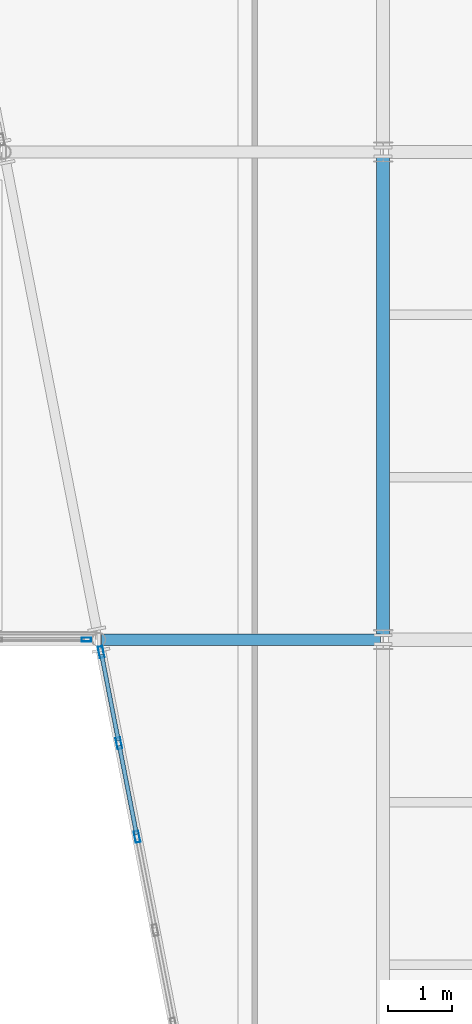
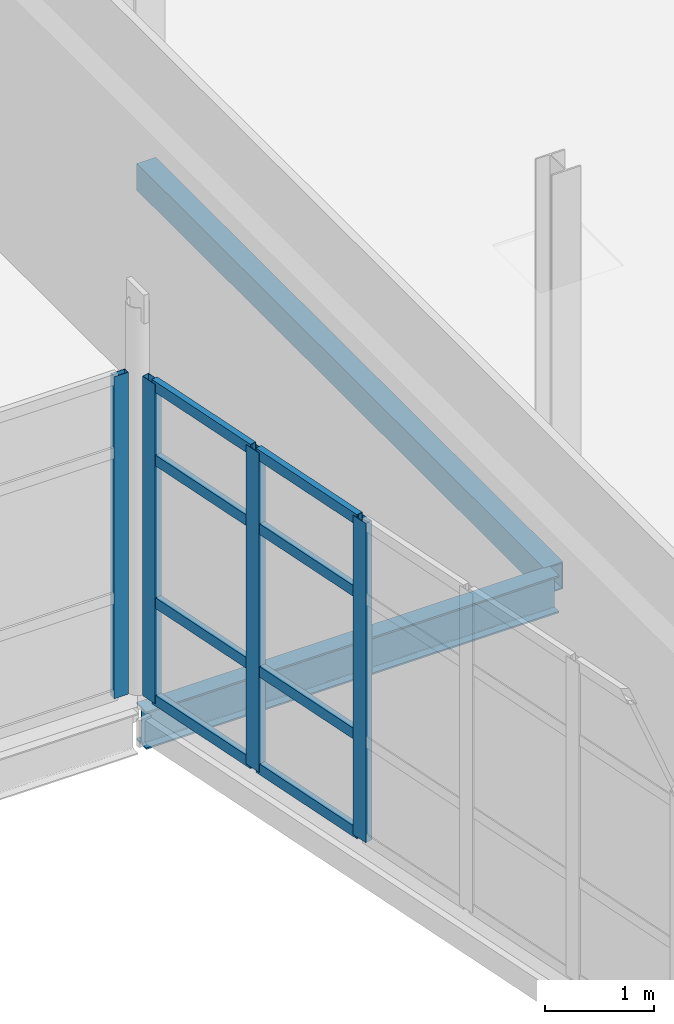
# One storey, part 93 of 166: 12 members, 2 beams, 2 elements without a shape of their own.
"""IFC4 building model written with IfcOpenShell, lengths in metres."""

from ifc_helpers import new_model, si_unit, direction, frame, origin, origin_2d, place, context, subcontext, project, spatial, hollow_rectangle, i_section, extrude, material, material_profile, profile_set, type_object, element, aggregate, save


model = new_model("IFC4")

# Units and contexts
model_context = context("Model", 3, precision=1e-05, world=origin(), true_north=direction((0.0, 1.0)))
body_context = subcontext(model_context, "Body", "Model", "MODEL_VIEW")
ifc_project = project(units=[si_unit("LENGTHUNIT", "METRE"), si_unit("AREAUNIT", "SQUARE_METRE"), si_unit("VOLUMEUNIT", "CUBIC_METRE"), si_unit("PLANEANGLEUNIT", "RADIAN"), si_unit("MASSUNIT", "GRAM", prefix="KILO")], contexts=[model_context])

# Site, building, storey
site_placement = place(None, origin())
site = spatial("IfcSite", under=ifc_project, at=site_placement, CompositionType="ELEMENT")
building_placement = place(site_placement, origin())
building = spatial("IfcBuilding", under=site, at=building_placement, Name="Caisbarro Railhouse Central Library", CompositionType="ELEMENT")
storey_placement = place(building_placement, frame((0.0, 0.0, 9.360107421875)))
storey = spatial("IfcBuildingStorey", under=building, at=storey_placement, Name="L02", CompositionType="ELEMENT", Elevation=9.360107421875)

# Beams
ifc_material_1 = material(Name="Steel ASTM A572 Grade 50", Category="steel")
ifc_material_profile_1 = material_profile(ifc_material_1, i_section(OverallWidth=0.180908203125, OverallDepth=0.4169921875, WebThickness=0.010986328125, FlangeThickness=0.018310546875, FilletRadius=0.01611328125, at=origin_2d()), Name="W410X85.0")
ifc_profile_set_1 = profile_set([ifc_material_profile_1], Name="Steel ASTM A572 Grade 50")
beam_type_1 = type_object("IfcBeamType", Name="BM-G09", PredefinedType="BEAM", material=ifc_profile_set_1)
beam_1_placement = place(storey_placement, frame((112.60791015625, 83.60009765625, -0.4287109375), z_axis=(1.0, 0.0, 0.0), x_axis=(0.0, 1.0, 0.0)))
element("IfcBeam", 1, at=beam_1_placement, inside=storey, type_object=beam_type_1, Name="G09 beam L02 #1750", PredefinedType="BEAM", context=body_context, shape_type="SweptSolid", body=[
    extrude(i_section(OverallWidth=0.180908203125, OverallDepth=0.4169921875, WebThickness=0.010986328125, FlangeThickness=0.018310546875, FilletRadius=0.01611328125, at=origin_2d()), origin(), (0.0, 0.0, 1.0), 4.35205078125),
])
ifc_material_profile_2 = material_profile(ifc_material_1, hollow_rectangle(XDim=0.199951171875, YDim=0.300048828125, WallThickness=0.012451171875, at=origin_2d()), Name="HSS300X200X12.5")
ifc_profile_set_2 = profile_set([ifc_material_profile_2], Name="Steel ASTM A572 Grade 50")
beam_type_2 = type_object("IfcBeamType", Name="BM-SP02", PredefinedType="SPANDREL", material=ifc_profile_set_2)
beam_2_placement = place(storey_placement, frame((117.0, 83.679931640625, -0.3701171875), z_axis=(0.0, 1.0, 0.0), x_axis=(-1.0, 0.0, 0.0)))
element("IfcBeam", 2, at=beam_2_placement, inside=storey, type_object=beam_type_2, Name="SP02 beam L02 #1509", PredefinedType="SPANDREL", context=body_context, shape_type="SweptSolid", body=[
    extrude(hollow_rectangle(XDim=0.199951171875, YDim=0.300048828125, WallThickness=0.012451171875, at=origin_2d()), origin(), (0.0, 0.0, 1.0), 7.440185546875),
])

# Curtain wall, members
ifc_material_2 = material(Name="Anodised architectural aluminium", Category="aluminium")
curtain_wall_type_1 = type_object("IfcCurtainWallType", Name="CW-CW02", PredefinedType="NOTDEFINED", material=ifc_material_2)
curtain_wall_1_placement = place(storey_placement, origin())
curtain_wall_1 = element("IfcCurtainWall", 3, at=curtain_wall_1_placement, inside=storey, type_object=curtain_wall_type_1, Name="CW02 curtain wall L02 #128", PredefinedType="NOTDEFINED")
ifc_material_profile_3 = material_profile(ifc_material_2, hollow_rectangle(XDim=0.074951171875, YDim=0.179931640625, WallThickness=0.00439453125, at=origin_2d()), Name="ALU-MUL-75X180")
ifc_profile_set_3 = profile_set([ifc_material_profile_3], Name="Anodised architectural aluminium")
member_type_1 = type_object("IfcMemberType", Name="CWM-M01", PredefinedType="MULLION", material=ifc_profile_set_3)
member_1_placement = place(storey_placement, frame((113.164794921875, 80.528564453125, 0.0), z_axis=(0.0, 0.0, 1.0), x_axis=(-0.981632635401, -0.190780945369, 0.0)))
member_1 = element("IfcMember", 4, at=member_1_placement, type_object=member_type_1, Name="CW02 mullion 4", PredefinedType="MULLION", context=body_context, shape_type="SweptSolid", body=[
    extrude(hollow_rectangle(XDim=0.074951171875, YDim=0.179931640625, WallThickness=0.00439453125, at=origin_2d()), origin(), (0.0, 0.0, 1.0), 3.559814453125),
])
member_2_placement = place(storey_placement, frame((112.881591796875, 81.98583984375, 0.0), z_axis=(0.0, 0.0, 1.0), x_axis=(-0.981632635401, -0.190780945369, 0.0)))
member_2 = element("IfcMember", 5, at=member_2_placement, type_object=member_type_1, Name="CW02 mullion 5", PredefinedType="MULLION", context=body_context, shape_type="SweptSolid", body=[
    extrude(hollow_rectangle(XDim=0.074951171875, YDim=0.179931640625, WallThickness=0.00439453125, at=origin_2d()), origin(), (0.0, 0.0, 1.0), 3.559814453125),
])
member_3_placement = place(storey_placement, frame((112.605712890625, 83.406005859375, 0.0), z_axis=(0.0, 0.0, 1.0), x_axis=(-0.981632635401, -0.190780945369, 0.0)))
member_3 = element("IfcMember", 6, at=member_3_placement, type_object=member_type_1, Name="CW02 mullion 6", PredefinedType="MULLION", context=body_context, shape_type="SweptSolid", body=[
    extrude(hollow_rectangle(XDim=0.074951171875, YDim=0.179931640625, WallThickness=0.00439453125, at=origin_2d()), origin(), (0.0, 0.0, 1.0), 3.559814453125),
])

# Curtain wall, member
curtain_wall_type_2 = type_object("IfcCurtainWallType", Name="CW-CW03", PredefinedType="NOTDEFINED", material=ifc_material_2)
curtain_wall_2_placement = place(storey_placement, origin())
curtain_wall_2 = element("IfcCurtainWall", 7, at=curtain_wall_2_placement, inside=storey, type_object=curtain_wall_type_2, Name="CW03 curtain wall L02 #209", PredefinedType="NOTDEFINED")
ifc_material_profile_4 = material_profile(ifc_material_2, hollow_rectangle(XDim=0.06494140625, YDim=0.14990234375, WallThickness=0.00390625, at=origin_2d()), Name="ALU-MUL-65X150")
ifc_profile_set_4 = profile_set([ifc_material_profile_4], Name="Anodised architectural aluminium")
member_type_2 = type_object("IfcMemberType", Name="CWM-M02", PredefinedType="MULLION", material=ifc_profile_set_4)
member_4_placement = place(storey_placement, frame((112.37548828125, 83.60009765625, 0.0), z_axis=(0.0, 0.0, 1.0), x_axis=(0.0, 1.0, 0.0)))
member_4 = element("IfcMember", 8, at=member_4_placement, type_object=member_type_2, Name="CW03 mullion 4", PredefinedType="MULLION", context=body_context, shape_type="SweptSolid", body=[
    extrude(hollow_rectangle(XDim=0.06494140625, YDim=0.14990234375, WallThickness=0.00390625, at=origin_2d()), origin(), (0.0, 0.0, 1.0), 3.58984375),
])
aggregate(curtain_wall_2, [member_4])

# Member
ifc_material_profile_5 = material_profile(ifc_material_2, hollow_rectangle(XDim=0.06494140625, YDim=0.1201171875, WallThickness=0.00341796875, at=origin_2d()), Name="ALU-TRN-65X120")
ifc_profile_set_5 = profile_set([ifc_material_profile_5], Name="Anodised architectural aluminium")
member_type_3 = type_object("IfcMemberType", Name="CWT-T02", PredefinedType="USERDEFINED", material=ifc_profile_set_5)
member_5_placement = place(storey_placement, frame((113.15771484375, 80.5654296875, 0.032470703125), z_axis=(-0.190716655365, 0.981645128021, 0.0), x_axis=(-0.981645128021, -0.190716655365, 0.0)))
member_5 = element("IfcMember", 9, at=member_5_placement, type_object=member_type_3, Name="CW02 transom 4.1", ObjectType="TRANSOM", PredefinedType="USERDEFINED", context=body_context, shape_type="SweptSolid", body=[
    extrude(hollow_rectangle(XDim=0.06494140625, YDim=0.1201171875, WallThickness=0.00341796875, at=origin_2d()), origin(), (0.0, 0.0, 1.0), 1.409423828125),
])

member_6_placement = place(storey_placement, frame((113.15771484375, 80.5654296875, 1.119873046875), z_axis=(-0.190716655365, 0.981645128021, 0.0), x_axis=(-0.981645128021, -0.190716655365, 0.0)))
member_6 = element("IfcMember", 10, at=member_6_placement, type_object=member_type_3, Name="CW02 transom 4.2", ObjectType="TRANSOM", PredefinedType="USERDEFINED", context=body_context, shape_type="SweptSolid", body=[
    extrude(hollow_rectangle(XDim=0.06494140625, YDim=0.1201171875, WallThickness=0.00341796875, at=origin_2d()), origin(), (0.0, 0.0, 1.0), 1.409423828125),
])

member_7_placement = place(storey_placement, frame((113.15771484375, 80.5654296875, 2.7099609375), z_axis=(-0.190716655365, 0.981645128021, 0.0), x_axis=(-0.981645128021, -0.190716655365, 0.0)))
member_7 = element("IfcMember", 11, at=member_7_placement, type_object=member_type_3, Name="CW02 transom 4.3", ObjectType="TRANSOM", PredefinedType="USERDEFINED", context=body_context, shape_type="SweptSolid", body=[
    extrude(hollow_rectangle(XDim=0.06494140625, YDim=0.1201171875, WallThickness=0.00341796875, at=origin_2d()), origin(), (0.0, 0.0, 1.0), 1.409423828125),
])

member_8_placement = place(storey_placement, frame((113.15771484375, 80.5654296875, 3.52734375), z_axis=(-0.190716655365, 0.981645128021, 0.0), x_axis=(-0.981645128021, -0.190716655365, 0.0)))
member_8 = element("IfcMember", 12, at=member_8_placement, type_object=member_type_3, Name="CW02 transom 4.4", ObjectType="TRANSOM", PredefinedType="USERDEFINED", context=body_context, shape_type="SweptSolid", body=[
    extrude(hollow_rectangle(XDim=0.06494140625, YDim=0.1201171875, WallThickness=0.00341796875, at=origin_2d()), origin(), (0.0, 0.0, 1.0), 1.409423828125),
])

member_9_placement = place(storey_placement, frame((112.87451171875, 82.0224609375, 0.032470703125), z_axis=(-0.190741071546, 0.981640384064, 0.0), x_axis=(-0.981640384064, -0.190741071546, 0.0)))
member_9 = element("IfcMember", 13, at=member_9_placement, type_object=member_type_3, Name="CW02 transom 5.1", ObjectType="TRANSOM", PredefinedType="USERDEFINED", context=body_context, shape_type="SweptSolid", body=[
    extrude(hollow_rectangle(XDim=0.06494140625, YDim=0.1201171875, WallThickness=0.00341796875, at=origin_2d()), origin(), (0.0, 0.0, 1.0), 1.3720703125),
])

member_10_placement = place(storey_placement, frame((112.87451171875, 82.0224609375, 1.119873046875), z_axis=(-0.190741071546, 0.981640384064, 0.0), x_axis=(-0.981640384064, -0.190741071546, 0.0)))
member_10 = element("IfcMember", 14, at=member_10_placement, type_object=member_type_3, Name="CW02 transom 5.2", ObjectType="TRANSOM", PredefinedType="USERDEFINED", context=body_context, shape_type="SweptSolid", body=[
    extrude(hollow_rectangle(XDim=0.06494140625, YDim=0.1201171875, WallThickness=0.00341796875, at=origin_2d()), origin(), (0.0, 0.0, 1.0), 1.3720703125),
])

member_11_placement = place(storey_placement, frame((112.87451171875, 82.0224609375, 2.7099609375), z_axis=(-0.190741071546, 0.981640384064, 0.0), x_axis=(-0.981640384064, -0.190741071546, 0.0)))
member_11 = element("IfcMember", 15, at=member_11_placement, type_object=member_type_3, Name="CW02 transom 5.3", ObjectType="TRANSOM", PredefinedType="USERDEFINED", context=body_context, shape_type="SweptSolid", body=[
    extrude(hollow_rectangle(XDim=0.06494140625, YDim=0.1201171875, WallThickness=0.00341796875, at=origin_2d()), origin(), (0.0, 0.0, 1.0), 1.3720703125),
])

member_12_placement = place(storey_placement, frame((112.87451171875, 82.0224609375, 3.52734375), z_axis=(-0.190741071546, 0.981640384064, 0.0), x_axis=(-0.981640384064, -0.190741071546, 0.0)))
member_12 = element("IfcMember", 16, at=member_12_placement, type_object=member_type_3, Name="CW02 transom 5.4", ObjectType="TRANSOM", PredefinedType="USERDEFINED", context=body_context, shape_type="SweptSolid", body=[
    extrude(hollow_rectangle(XDim=0.06494140625, YDim=0.1201171875, WallThickness=0.00341796875, at=origin_2d()), origin(), (0.0, 0.0, 1.0), 1.3720703125),
])

aggregate(curtain_wall_1, [member_1, member_2, member_3, member_5, member_6, member_7, member_8, member_9, member_10, member_11, member_12])

save(model, "model.ifc")
